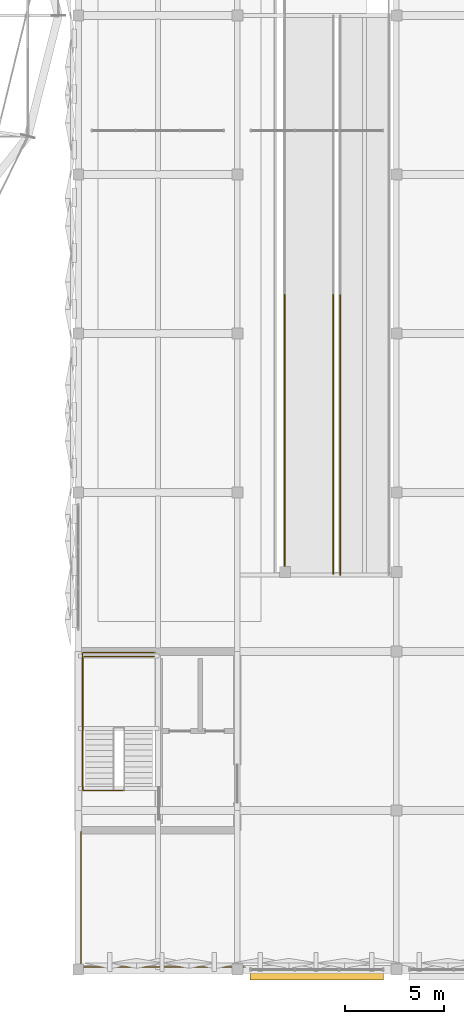
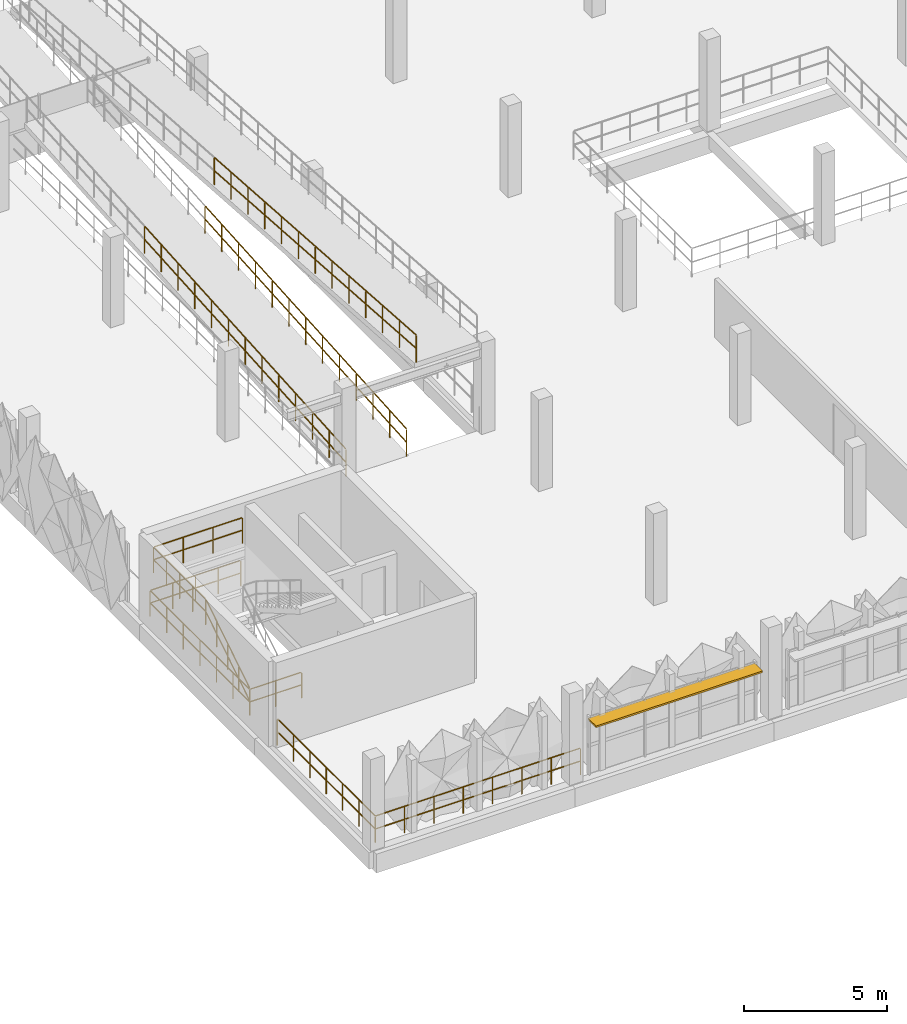
# One storey, part 88 of 96: 6 railings, 1 shading device.
"""IFC4 building model written with IfcOpenShell, lengths in metres."""

from ifc_helpers import new_model, si_unit, derived_unit, direction, frame, origin, origin_2d, place, context, subcontext, project, spatial, rectangle, circle, extrude, material, material_profile, profile_set, type_object, element, save


model = new_model("IFC4")

# Units and contexts
model_context = context("Model", 3, precision=1e-05, world=origin(), true_north=direction((0.0, 1.0)))
body_context = subcontext(model_context, "Body", "Model", "MODEL_VIEW")
ifc_project = project(units=[si_unit("LENGTHUNIT", "METRE"), si_unit("AREAUNIT", "SQUARE_METRE"), si_unit("VOLUMEUNIT", "CUBIC_METRE"), si_unit("PLANEANGLEUNIT", "RADIAN"), si_unit("MASSUNIT", "GRAM", prefix="KILO"), si_unit("THERMODYNAMICTEMPERATUREUNIT", "KELVIN"), derived_unit("THERMALTRANSMITTANCEUNIT", [(si_unit("POWERUNIT", "WATT"), 1), (si_unit("AREAUNIT", "SQUARE_METRE"), -1), (si_unit("THERMODYNAMICTEMPERATUREUNIT", "KELVIN"), -1)])], contexts=[model_context])

# Site, building, storey
site_placement = place(None, origin())
site = spatial("IfcSite", under=ifc_project, at=site_placement, CompositionType="ELEMENT")
building_placement = place(site_placement, origin())
building = spatial("IfcBuilding", under=site, at=building_placement, Name="Haiyu Intermodal Mobility Hub", CompositionType="ELEMENT")
storey_placement = place(building_placement, frame((0.0, 0.0, 9.5)))
storey = spatial("IfcBuildingStorey", under=building, at=storey_placement, Name="L02", CompositionType="ELEMENT", Elevation=9.5)

# Railings
ifc_material_1 = material(Name="Steel Q355C", Category="steel")
railing_type = type_object("IfcRailingType", Name="RAL-GR03", PredefinedType="GUARDRAIL", material=ifc_material_1)
railing_1_placement = place(storey_placement, frame((164.3798828125, 35.89990234375, 0.0)))
element("IfcRailing", 1, at=railing_1_placement, inside=storey, type_object=railing_type, Name="RAL-RMP-BIKE-L02-F1WA", PredefinedType="GUARDRAIL", context=body_context, shape_type="SweptSolid", body=[
    extrude(circle(Radius=0.02392578125, at=origin_2d()), frame((0.0, 0.030029296875, 1.157958984375), z_axis=(0.0, 0.997600365218, 0.069235188425), x_axis=(-1.0, 0.0, 0.0)), (0.0, 0.0, 1.0), 14.02392578125),
    extrude(circle(Radius=0.02392578125, at=origin_2d()), frame((0.0, 0.037109375, 0.592529296875), z_axis=(0.0, 0.997600365218, 0.069235188425), x_axis=(-1.0, 0.0, 0.0)), (0.0, 0.0, 1.0), 1.09912109375),
    extrude(circle(Radius=0.02392578125, at=origin_2d()), frame((0.0, 1.2080078125, 0.673828125), z_axis=(0.0, 0.997600365218, 0.069235188425), x_axis=(-1.0, 0.0, 0.0)), (0.0, 0.0, 1.0), 1.09912109375),
    extrude(circle(Radius=0.02392578125, at=origin_2d()), frame((0.0, 2.37890625, 0.755126953125), z_axis=(0.0, 0.997600365218, 0.069235188425), x_axis=(-1.0, 0.0, 0.0)), (0.0, 0.0, 1.0), 1.09912109375),
    extrude(circle(Radius=0.02392578125, at=origin_2d()), frame((0.0, 3.5498046875, 0.83642578125), z_axis=(0.0, 0.997600365218, 0.069235188425), x_axis=(-1.0, 0.0, 0.0)), (0.0, 0.0, 1.0), 1.09912109375),
    extrude(circle(Radius=0.02392578125, at=origin_2d()), frame((0.0, 4.720458984375, 0.91748046875), z_axis=(0.0, 0.997600365218, 0.069235188425), x_axis=(-1.0, 0.0, 0.0)), (0.0, 0.0, 1.0), 1.09912109375),
    extrude(circle(Radius=0.02392578125, at=origin_2d()), frame((0.0, 5.891357421875, 0.998779296875), z_axis=(0.0, 0.997600365218, 0.069235188425), x_axis=(-1.0, 0.0, 0.0)), (0.0, 0.0, 1.0), 1.09912109375),
    extrude(circle(Radius=0.02392578125, at=origin_2d()), frame((0.0, 7.062255859375, 1.080078125), z_axis=(0.0, 0.997600365218, 0.069235188425), x_axis=(-1.0, 0.0, 0.0)), (0.0, 0.0, 1.0), 1.09912109375),
    extrude(circle(Radius=0.02392578125, at=origin_2d()), frame((0.0, 8.233154296875, 1.161376953125), z_axis=(0.0, 0.997600365218, 0.069235188425), x_axis=(-1.0, 0.0, 0.0)), (0.0, 0.0, 1.0), 1.09912109375),
    extrude(circle(Radius=0.02392578125, at=origin_2d()), frame((0.0, 9.40380859375, 1.24267578125), z_axis=(0.0, 0.997600365218, 0.069235188425), x_axis=(-1.0, 0.0, 0.0)), (0.0, 0.0, 1.0), 1.09912109375),
    extrude(circle(Radius=0.02392578125, at=origin_2d()), frame((0.0, 10.57470703125, 1.323974609375), z_axis=(0.0, 0.997600365218, 0.069235188425), x_axis=(-1.0, 0.0, 0.0)), (0.0, 0.0, 1.0), 1.09912109375),
    extrude(circle(Radius=0.02392578125, at=origin_2d()), frame((0.0, 11.74560546875, 1.405029296875), z_axis=(0.0, 0.997600365218, 0.069235188425), x_axis=(-1.0, 0.0, 0.0)), (0.0, 0.0, 1.0), 1.09912109375),
    extrude(circle(Radius=0.02392578125, at=origin_2d()), frame((0.0, 12.91650390625, 1.486328125), z_axis=(0.0, 0.997600365218, 0.069235188425), x_axis=(-1.0, 0.0, 0.0)), (0.0, 0.0, 1.0), 1.09912109375),
    extrude(circle(Radius=0.02099609375, at=origin_2d()), origin(), (0.0, 0.0, 1.0), 1.123779296875),
    extrude(circle(Radius=0.02099609375, at=origin_2d()), frame((0.0, 1.1708984375, 0.081298828125)), (0.0, 0.0, 1.0), 1.123779296875),
    extrude(circle(Radius=0.02099609375, at=origin_2d()), frame((0.0, 2.341796875, 0.16259765625)), (0.0, 0.0, 1.0), 1.123779296875),
    extrude(circle(Radius=0.02099609375, at=origin_2d()), frame((0.0, 3.512451171875, 0.24365234375)), (0.0, 0.0, 1.0), 1.123779296875),
    extrude(circle(Radius=0.02099609375, at=origin_2d()), frame((0.0, 4.683349609375, 0.324951171875)), (0.0, 0.0, 1.0), 1.123779296875),
    extrude(circle(Radius=0.02099609375, at=origin_2d()), frame((0.0, 5.854248046875, 0.40625)), (0.0, 0.0, 1.0), 1.123779296875),
    extrude(circle(Radius=0.02099609375, at=origin_2d()), frame((0.0, 7.02490234375, 0.487548828125)), (0.0, 0.0, 1.0), 1.123779296875),
    extrude(circle(Radius=0.02099609375, at=origin_2d()), frame((0.0, 8.19580078125, 0.56884765625)), (0.0, 0.0, 1.0), 1.123779296875),
    extrude(circle(Radius=0.02099609375, at=origin_2d()), frame((0.0, 9.36669921875, 0.650146484375)), (0.0, 0.0, 1.0), 1.123779296875),
    extrude(circle(Radius=0.02099609375, at=origin_2d()), frame((0.0, 10.53759765625, 0.7314453125)), (0.0, 0.0, 1.0), 1.123779296875),
    extrude(circle(Radius=0.02099609375, at=origin_2d()), frame((0.0, 11.70849609375, 0.8125)), (0.0, 0.0, 1.0), 1.123779296875),
    extrude(circle(Radius=0.02099609375, at=origin_2d()), frame((0.0, 12.879150390625, 0.893798828125)), (0.0, 0.0, 1.0), 1.123779296875),
    extrude(circle(Radius=0.02099609375, at=origin_2d()), frame((0.0, 14.050048828125, 0.97509765625)), (0.0, 0.0, 1.0), 1.123779296875),
])
railing_2_placement = place(storey_placement, frame((166.820068359375, 35.89990234375, 0.0)))
element("IfcRailing", 2, at=railing_2_placement, inside=storey, type_object=railing_type, Name="RAL-RMP-BIKE-L02-F1EA", PredefinedType="GUARDRAIL", context=body_context, shape_type="SweptSolid", body=[
    extrude(circle(Radius=0.02392578125, at=origin_2d()), frame((0.0, 0.030029296875, 1.157958984375), z_axis=(0.0, 0.997600365218, 0.069235188425), x_axis=(-1.0, 0.0, 0.0)), (0.0, 0.0, 1.0), 14.02392578125),
    extrude(circle(Radius=0.02392578125, at=origin_2d()), frame((0.0, 0.037109375, 0.592529296875), z_axis=(0.0, 0.997600365218, 0.069235188425), x_axis=(-1.0, 0.0, 0.0)), (0.0, 0.0, 1.0), 1.09912109375),
    extrude(circle(Radius=0.02392578125, at=origin_2d()), frame((0.0, 1.2080078125, 0.673828125), z_axis=(0.0, 0.997600365218, 0.069235188425), x_axis=(-1.0, 0.0, 0.0)), (0.0, 0.0, 1.0), 1.09912109375),
    extrude(circle(Radius=0.02392578125, at=origin_2d()), frame((0.0, 2.37890625, 0.755126953125), z_axis=(0.0, 0.997600365218, 0.069235188425), x_axis=(-1.0, 0.0, 0.0)), (0.0, 0.0, 1.0), 1.09912109375),
    extrude(circle(Radius=0.02392578125, at=origin_2d()), frame((0.0, 3.5498046875, 0.83642578125), z_axis=(0.0, 0.997600365218, 0.069235188425), x_axis=(-1.0, 0.0, 0.0)), (0.0, 0.0, 1.0), 1.09912109375),
    extrude(circle(Radius=0.02392578125, at=origin_2d()), frame((0.0, 4.720458984375, 0.91748046875), z_axis=(0.0, 0.997600365218, 0.069235188425), x_axis=(-1.0, 0.0, 0.0)), (0.0, 0.0, 1.0), 1.09912109375),
    extrude(circle(Radius=0.02392578125, at=origin_2d()), frame((0.0, 5.891357421875, 0.998779296875), z_axis=(0.0, 0.997600365218, 0.069235188425), x_axis=(-1.0, 0.0, 0.0)), (0.0, 0.0, 1.0), 1.09912109375),
    extrude(circle(Radius=0.02392578125, at=origin_2d()), frame((0.0, 7.062255859375, 1.080078125), z_axis=(0.0, 0.997600365218, 0.069235188425), x_axis=(-1.0, 0.0, 0.0)), (0.0, 0.0, 1.0), 1.09912109375),
    extrude(circle(Radius=0.02392578125, at=origin_2d()), frame((0.0, 8.233154296875, 1.161376953125), z_axis=(0.0, 0.997600365218, 0.069235188425), x_axis=(-1.0, 0.0, 0.0)), (0.0, 0.0, 1.0), 1.09912109375),
    extrude(circle(Radius=0.02392578125, at=origin_2d()), frame((0.0, 9.40380859375, 1.24267578125), z_axis=(0.0, 0.997600365218, 0.069235188425), x_axis=(-1.0, 0.0, 0.0)), (0.0, 0.0, 1.0), 1.09912109375),
    extrude(circle(Radius=0.02392578125, at=origin_2d()), frame((0.0, 10.57470703125, 1.323974609375), z_axis=(0.0, 0.997600365218, 0.069235188425), x_axis=(-1.0, 0.0, 0.0)), (0.0, 0.0, 1.0), 1.09912109375),
    extrude(circle(Radius=0.02392578125, at=origin_2d()), frame((0.0, 11.74560546875, 1.405029296875), z_axis=(0.0, 0.997600365218, 0.069235188425), x_axis=(-1.0, 0.0, 0.0)), (0.0, 0.0, 1.0), 1.09912109375),
    extrude(circle(Radius=0.02392578125, at=origin_2d()), frame((0.0, 12.91650390625, 1.486328125), z_axis=(0.0, 0.997600365218, 0.069235188425), x_axis=(-1.0, 0.0, 0.0)), (0.0, 0.0, 1.0), 1.09912109375),
    extrude(circle(Radius=0.02099609375, at=origin_2d()), origin(), (0.0, 0.0, 1.0), 1.123779296875),
    extrude(circle(Radius=0.02099609375, at=origin_2d()), frame((0.0, 1.1708984375, 0.081298828125)), (0.0, 0.0, 1.0), 1.123779296875),
    extrude(circle(Radius=0.02099609375, at=origin_2d()), frame((0.0, 2.341796875, 0.16259765625)), (0.0, 0.0, 1.0), 1.123779296875),
    extrude(circle(Radius=0.02099609375, at=origin_2d()), frame((0.0, 3.512451171875, 0.24365234375)), (0.0, 0.0, 1.0), 1.123779296875),
    extrude(circle(Radius=0.02099609375, at=origin_2d()), frame((0.0, 4.683349609375, 0.324951171875)), (0.0, 0.0, 1.0), 1.123779296875),
    extrude(circle(Radius=0.02099609375, at=origin_2d()), frame((0.0, 5.854248046875, 0.40625)), (0.0, 0.0, 1.0), 1.123779296875),
    extrude(circle(Radius=0.02099609375, at=origin_2d()), frame((0.0, 7.02490234375, 0.487548828125)), (0.0, 0.0, 1.0), 1.123779296875),
    extrude(circle(Radius=0.02099609375, at=origin_2d()), frame((0.0, 8.19580078125, 0.56884765625)), (0.0, 0.0, 1.0), 1.123779296875),
    extrude(circle(Radius=0.02099609375, at=origin_2d()), frame((0.0, 9.36669921875, 0.650146484375)), (0.0, 0.0, 1.0), 1.123779296875),
    extrude(circle(Radius=0.02099609375, at=origin_2d()), frame((0.0, 10.53759765625, 0.7314453125)), (0.0, 0.0, 1.0), 1.123779296875),
    extrude(circle(Radius=0.02099609375, at=origin_2d()), frame((0.0, 11.70849609375, 0.8125)), (0.0, 0.0, 1.0), 1.123779296875),
    extrude(circle(Radius=0.02099609375, at=origin_2d()), frame((0.0, 12.879150390625, 0.893798828125)), (0.0, 0.0, 1.0), 1.123779296875),
    extrude(circle(Radius=0.02099609375, at=origin_2d()), frame((0.0, 14.050048828125, 0.97509765625)), (0.0, 0.0, 1.0), 1.123779296875),
])
railing_3_placement = place(storey_placement, frame((167.179931640625, 49.925048828125, 2.925048828125)))
element("IfcRailing", 3, at=railing_3_placement, inside=storey, type_object=railing_type, Name="RAL-RMP-BIKE-L02-F2WB", PredefinedType="GUARDRAIL", context=body_context, shape_type="SweptSolid", body=[
    extrude(circle(Radius=0.02392578125, at=origin_2d()), frame((0.0, -0.030029296875, 1.157958984375), z_axis=(0.0, -0.997610011439, 0.069096056888), x_axis=(1.0, 0.0, 0.0)), (0.0, 0.0, 1.0), 14.048583984375),
    extrude(circle(Radius=0.02392578125, at=origin_2d()), frame((0.0, -0.037109375, 0.592529296875), z_axis=(0.0, -0.997610011439, 0.069096056888), x_axis=(1.0, 0.0, 0.0)), (0.0, 0.0, 1.0), 1.10107421875),
    extrude(circle(Radius=0.02392578125, at=origin_2d()), frame((0.0, -1.210205078125, 0.673828125), z_axis=(0.0, -0.997610011439, 0.069096056888), x_axis=(1.0, 0.0, 0.0)), (0.0, 0.0, 1.0), 1.10107421875),
    extrude(circle(Radius=0.02392578125, at=origin_2d()), frame((0.0, -2.383056640625, 0.755126953125), z_axis=(0.0, -0.997610011439, 0.069096056888), x_axis=(1.0, 0.0, 0.0)), (0.0, 0.0, 1.0), 1.10107421875),
    extrude(circle(Radius=0.02392578125, at=origin_2d()), frame((0.0, -3.555908203125, 0.836181640625), z_axis=(0.0, -0.997610011439, 0.069096056888), x_axis=(1.0, 0.0, 0.0)), (0.0, 0.0, 1.0), 1.10107421875),
    extrude(circle(Radius=0.02392578125, at=origin_2d()), frame((0.0, -4.728759765625, 0.91748046875), z_axis=(0.0, -0.997610011439, 0.069096056888), x_axis=(1.0, 0.0, 0.0)), (0.0, 0.0, 1.0), 1.10107421875),
    extrude(circle(Radius=0.02392578125, at=origin_2d()), frame((0.0, -5.90185546875, 0.998779296875), z_axis=(0.0, -0.997610011439, 0.069096056888), x_axis=(1.0, 0.0, 0.0)), (0.0, 0.0, 1.0), 1.10107421875),
    extrude(circle(Radius=0.02392578125, at=origin_2d()), frame((0.0, -7.07470703125, 1.080078125), z_axis=(0.0, -0.997610011439, 0.069096056888), x_axis=(1.0, 0.0, 0.0)), (0.0, 0.0, 1.0), 1.10107421875),
    extrude(circle(Radius=0.02392578125, at=origin_2d()), frame((0.0, -8.24755859375, 1.1611328125), z_axis=(0.0, -0.997610011439, 0.069096056888), x_axis=(1.0, 0.0, 0.0)), (0.0, 0.0, 1.0), 1.10107421875),
    extrude(circle(Radius=0.02392578125, at=origin_2d()), frame((0.0, -9.42041015625, 1.242431640625), z_axis=(0.0, -0.997610011439, 0.069096056888), x_axis=(1.0, 0.0, 0.0)), (0.0, 0.0, 1.0), 1.10107421875),
    extrude(circle(Radius=0.02392578125, at=origin_2d()), frame((0.0, -10.593505859375, 1.32373046875), z_axis=(0.0, -0.997610011439, 0.069096056888), x_axis=(1.0, 0.0, 0.0)), (0.0, 0.0, 1.0), 1.10107421875),
    extrude(circle(Radius=0.02392578125, at=origin_2d()), frame((0.0, -11.766357421875, 1.405029296875), z_axis=(0.0, -0.997610011439, 0.069096056888), x_axis=(1.0, 0.0, 0.0)), (0.0, 0.0, 1.0), 1.10107421875),
    extrude(circle(Radius=0.02392578125, at=origin_2d()), frame((0.0, -12.939208984375, 1.486083984375), z_axis=(0.0, -0.997610011439, 0.069096056888), x_axis=(1.0, 0.0, 0.0)), (0.0, 0.0, 1.0), 1.10107421875),
    extrude(circle(Radius=0.02099609375, at=origin_2d()), origin(), (0.0, 0.0, 1.0), 1.123779296875),
    extrude(circle(Radius=0.02099609375, at=origin_2d()), frame((0.0, -1.1728515625, 0.081298828125)), (0.0, 0.0, 1.0), 1.123779296875),
    extrude(circle(Radius=0.02099609375, at=origin_2d()), frame((0.0, -2.345703125, 0.16259765625)), (0.0, 0.0, 1.0), 1.123779296875),
    extrude(circle(Radius=0.02099609375, at=origin_2d()), frame((0.0, -3.518798828125, 0.24365234375)), (0.0, 0.0, 1.0), 1.123779296875),
    extrude(circle(Radius=0.02099609375, at=origin_2d()), frame((0.0, -4.691650390625, 0.324951171875)), (0.0, 0.0, 1.0), 1.123779296875),
    extrude(circle(Radius=0.02099609375, at=origin_2d()), frame((0.0, -5.864501953125, 0.40625)), (0.0, 0.0, 1.0), 1.123779296875),
    extrude(circle(Radius=0.02099609375, at=origin_2d()), frame((0.0, -7.03759765625, 0.4873046875)), (0.0, 0.0, 1.0), 1.123779296875),
    extrude(circle(Radius=0.02099609375, at=origin_2d()), frame((0.0, -8.21044921875, 0.568603515625)), (0.0, 0.0, 1.0), 1.123779296875),
    extrude(circle(Radius=0.02099609375, at=origin_2d()), frame((0.0, -9.38330078125, 0.64990234375)), (0.0, 0.0, 1.0), 1.123779296875),
    extrude(circle(Radius=0.02099609375, at=origin_2d()), frame((0.0, -10.55615234375, 0.731201171875)), (0.0, 0.0, 1.0), 1.123779296875),
    extrude(circle(Radius=0.02099609375, at=origin_2d()), frame((0.0, -11.72900390625, 0.8125)), (0.0, 0.0, 1.0), 1.123779296875),
    extrude(circle(Radius=0.02099609375, at=origin_2d()), frame((0.0, -12.902099609375, 0.8935546875)), (0.0, 0.0, 1.0), 1.123779296875),
    extrude(circle(Radius=0.02099609375, at=origin_2d()), frame((0.0, -14.074951171875, 0.974853515625)), (0.0, 0.0, 1.0), 1.123779296875),
])
railing_4_placement = place(storey_placement, frame((154.139892578125, 22.949951171875, 0.0)))
element("IfcRailing", 4, at=railing_4_placement, inside=storey, type_object=railing_type, Name="RAL-V5SW-L02", PredefinedType="GUARDRAIL", context=body_context, shape_type="SweptSolid", body=[
    extrude(circle(Radius=0.02392578125, at=origin_2d()), frame((0.0, -0.030029296875, 1.1259765625), z_axis=(0.0, -1.0, 0.0), x_axis=(1.0, 0.0, 0.0)), (0.0, 0.0, 1.0), 6.769775390625),
    extrude(circle(Radius=0.02392578125, at=origin_2d()), frame((0.0, -0.037353515625, 0.574951171875), z_axis=(0.0, -1.0, 0.0), x_axis=(1.0, 0.0, 0.0)), (0.0, 0.0, 1.0), 1.063720703125),
    extrude(circle(Radius=0.02392578125, at=origin_2d()), frame((0.0, -1.175537109375, 0.574951171875), z_axis=(0.0, -1.0, 0.0), x_axis=(1.0, 0.0, 0.0)), (0.0, 0.0, 1.0), 1.063720703125),
    extrude(circle(Radius=0.02392578125, at=origin_2d()), frame((0.0, -2.31396484375, 0.574951171875), z_axis=(0.0, -1.0, 0.0), x_axis=(1.0, 0.0, 0.0)), (0.0, 0.0, 1.0), 1.063720703125),
    extrude(circle(Radius=0.02392578125, at=origin_2d()), frame((0.0, -3.4521484375, 0.574951171875), z_axis=(0.0, -1.0, 0.0), x_axis=(1.0, 0.0, 0.0)), (0.0, 0.0, 1.0), 1.063720703125),
    extrude(circle(Radius=0.02392578125, at=origin_2d()), frame((0.0, -4.590576171875, 0.574951171875), z_axis=(0.0, -1.0, 0.0), x_axis=(1.0, 0.0, 0.0)), (0.0, 0.0, 1.0), 1.063720703125),
    extrude(circle(Radius=0.02392578125, at=origin_2d()), frame((0.0, -5.728759765625, 0.574951171875), z_axis=(0.0, -1.0, 0.0), x_axis=(1.0, 0.0, 0.0)), (0.0, 0.0, 1.0), 1.063720703125),
    extrude(circle(Radius=0.02392578125, at=origin_2d()), frame((0.030029296875, -6.829833984375, 1.1259765625), z_axis=(1.0, 0.0, 0.0), x_axis=(0.0, 1.0, 0.0)), (0.0, 0.0, 1.0), 8.199951171875),
    extrude(circle(Radius=0.02392578125, at=origin_2d()), frame((0.037353515625, -6.829833984375, 0.574951171875), z_axis=(1.0, 0.0, 0.0), x_axis=(0.0, 1.0, 0.0)), (0.0, 0.0, 1.0), 1.10546875),
    extrude(circle(Radius=0.02392578125, at=origin_2d()), frame((1.21728515625, -6.829833984375, 0.574951171875), z_axis=(1.0, 0.0, 0.0), x_axis=(0.0, 1.0, 0.0)), (0.0, 0.0, 1.0), 1.10546875),
    extrude(circle(Radius=0.02392578125, at=origin_2d()), frame((2.397216796875, -6.829833984375, 0.574951171875), z_axis=(1.0, 0.0, 0.0), x_axis=(0.0, 1.0, 0.0)), (0.0, 0.0, 1.0), 1.10546875),
    extrude(circle(Radius=0.02392578125, at=origin_2d()), frame((3.577392578125, -6.829833984375, 0.574951171875), z_axis=(1.0, 0.0, 0.0), x_axis=(0.0, 1.0, 0.0)), (0.0, 0.0, 1.0), 1.10546875),
    extrude(circle(Radius=0.02392578125, at=origin_2d()), frame((4.75732421875, -6.829833984375, 0.574951171875), z_axis=(1.0, 0.0, 0.0), x_axis=(0.0, 1.0, 0.0)), (0.0, 0.0, 1.0), 1.10546875),
    extrude(circle(Radius=0.02392578125, at=origin_2d()), frame((5.937255859375, -6.829833984375, 0.574951171875), z_axis=(1.0, 0.0, 0.0), x_axis=(0.0, 1.0, 0.0)), (0.0, 0.0, 1.0), 1.10546875),
    extrude(circle(Radius=0.02392578125, at=origin_2d()), frame((7.1171875, -6.829833984375, 0.574951171875), z_axis=(1.0, 0.0, 0.0), x_axis=(0.0, 1.0, 0.0)), (0.0, 0.0, 1.0), 1.10546875),
    extrude(circle(Radius=0.02099609375, at=origin_2d()), origin(), (0.0, 0.0, 1.0), 1.09375),
    extrude(circle(Radius=0.02099609375, at=origin_2d()), frame((0.0, -1.13818359375, 0.0)), (0.0, 0.0, 1.0), 1.09375),
    extrude(circle(Radius=0.02099609375, at=origin_2d()), frame((0.0, -2.276611328125, 0.0)), (0.0, 0.0, 1.0), 1.09375),
    extrude(circle(Radius=0.02099609375, at=origin_2d()), frame((0.0, -3.4150390625, 0.0)), (0.0, 0.0, 1.0), 1.09375),
    extrude(circle(Radius=0.02099609375, at=origin_2d()), frame((0.0, -4.55322265625, 0.0)), (0.0, 0.0, 1.0), 1.09375),
    extrude(circle(Radius=0.02099609375, at=origin_2d()), frame((0.0, -5.69140625, 0.0)), (0.0, 0.0, 1.0), 1.09375),
    extrude(circle(Radius=0.02099609375, at=origin_2d()), frame((0.0, -6.829833984375, 0.0)), (0.0, 0.0, 1.0), 1.09375),
    extrude(circle(Radius=0.02099609375, at=origin_2d()), frame((1.179931640625, -6.829833984375, 0.0)), (0.0, 0.0, 1.0), 1.09375),
    extrude(circle(Radius=0.02099609375, at=origin_2d()), frame((2.360107421875, -6.829833984375, 0.0)), (0.0, 0.0, 1.0), 1.09375),
    extrude(circle(Radius=0.02099609375, at=origin_2d()), frame((3.5400390625, -6.829833984375, 0.0)), (0.0, 0.0, 1.0), 1.09375),
    extrude(circle(Radius=0.02099609375, at=origin_2d()), frame((4.719970703125, -6.829833984375, 0.0)), (0.0, 0.0, 1.0), 1.09375),
    extrude(circle(Radius=0.02099609375, at=origin_2d()), frame((5.89990234375, -6.829833984375, 0.0)), (0.0, 0.0, 1.0), 1.09375),
    extrude(circle(Radius=0.02099609375, at=origin_2d()), frame((7.080078125, -6.829833984375, 0.0)), (0.0, 0.0, 1.0), 1.09375),
    extrude(circle(Radius=0.02099609375, at=origin_2d()), frame((8.260009765625, -6.829833984375, 0.0)), (0.0, 0.0, 1.0), 1.09375),
])
railing_5_placement = place(storey_placement, frame((156.31005859375, 25.010009765625, 0.0)))
element("IfcRailing", 5, at=railing_5_placement, inside=storey, type_object=railing_type, Name="Stair Shaft Floor Guard STR-C8-L01", PredefinedType="GUARDRAIL", context=body_context, shape_type="SweptSolid", body=[
    extrude(circle(Radius=0.02392578125, at=origin_2d()), frame((-0.030029296875, 0.0, 1.09619140625), z_axis=(-1.0, 0.0, 0.0), x_axis=(0.0, -1.0, 0.0)), (0.0, 0.0, 1.0), 2.030029296875),
    extrude(circle(Radius=0.02392578125, at=origin_2d()), frame((-0.037353515625, 0.0, 0.56005859375), z_axis=(-1.0, 0.0, 0.0), x_axis=(0.0, -1.0, 0.0)), (0.0, 0.0, 1.0), 0.970458984375),
    extrude(circle(Radius=0.02392578125, at=origin_2d()), frame((-1.082275390625, 0.0, 0.56005859375), z_axis=(-1.0, 0.0, 0.0), x_axis=(0.0, -1.0, 0.0)), (0.0, 0.0, 1.0), 0.970458984375),
    extrude(circle(Radius=0.02392578125, at=origin_2d()), frame((-2.090087890625, 0.030029296875, 1.09619140625), z_axis=(0.0, 1.0, 0.0), x_axis=(-1.0, 0.0, 0.0)), (0.0, 0.0, 1.0), 6.8798828125),
    extrude(circle(Radius=0.02392578125, at=origin_2d()), frame((-2.090087890625, 0.037353515625, 0.56005859375), z_axis=(0.0, 1.0, 0.0), x_axis=(-1.0, 0.0, 0.0)), (0.0, 0.0, 1.0), 1.08203125),
    extrude(circle(Radius=0.02392578125, at=origin_2d()), frame((-2.090087890625, 1.19384765625, 0.56005859375), z_axis=(0.0, 1.0, 0.0), x_axis=(-1.0, 0.0, 0.0)), (0.0, 0.0, 1.0), 1.08203125),
    extrude(circle(Radius=0.02392578125, at=origin_2d()), frame((-2.090087890625, 2.3505859375, 0.56005859375), z_axis=(0.0, 1.0, 0.0), x_axis=(-1.0, 0.0, 0.0)), (0.0, 0.0, 1.0), 1.08203125),
    extrude(circle(Radius=0.02392578125, at=origin_2d()), frame((-2.090087890625, 3.50732421875, 0.56005859375), z_axis=(0.0, 1.0, 0.0), x_axis=(-1.0, 0.0, 0.0)), (0.0, 0.0, 1.0), 1.08203125),
    extrude(circle(Radius=0.02392578125, at=origin_2d()), frame((-2.090087890625, 4.663818359375, 0.56005859375), z_axis=(0.0, 1.0, 0.0), x_axis=(-1.0, 0.0, 0.0)), (0.0, 0.0, 1.0), 1.08203125),
    extrude(circle(Radius=0.02392578125, at=origin_2d()), frame((-2.090087890625, 5.820556640625, 0.56005859375), z_axis=(0.0, 1.0, 0.0), x_axis=(-1.0, 0.0, 0.0)), (0.0, 0.0, 1.0), 1.08203125),
    extrude(circle(Radius=0.02392578125, at=origin_2d()), frame((-2.06005859375, 6.93994140625, 1.09619140625), z_axis=(1.0, 0.0, 0.0), x_axis=(0.0, 1.0, 0.0)), (0.0, 0.0, 1.0), 3.590087890625),
    extrude(circle(Radius=0.02392578125, at=origin_2d()), frame((-2.052734375, 6.93994140625, 0.56005859375), z_axis=(1.0, 0.0, 0.0), x_axis=(0.0, 1.0, 0.0)), (0.0, 0.0, 1.0), 0.837890625),
    extrude(circle(Radius=0.02392578125, at=origin_2d()), frame((-1.14013671875, 6.93994140625, 0.56005859375), z_axis=(1.0, 0.0, 0.0), x_axis=(0.0, 1.0, 0.0)), (0.0, 0.0, 1.0), 0.837890625),
    extrude(circle(Radius=0.02392578125, at=origin_2d()), frame((-0.227783203125, 6.93994140625, 0.56005859375), z_axis=(1.0, 0.0, 0.0), x_axis=(0.0, 1.0, 0.0)), (0.0, 0.0, 1.0), 0.837890625),
    extrude(circle(Radius=0.02392578125, at=origin_2d()), frame((0.684814453125, 6.93994140625, 0.56005859375), z_axis=(1.0, 0.0, 0.0), x_axis=(0.0, 1.0, 0.0)), (0.0, 0.0, 1.0), 0.837890625),
    extrude(circle(Radius=0.02099609375, at=origin_2d()), origin(), (0.0, 0.0, 1.0), 1.06396484375),
    extrude(circle(Radius=0.02099609375, at=origin_2d()), frame((-1.044921875, 0.0, 0.0)), (0.0, 0.0, 1.0), 1.06396484375),
    extrude(circle(Radius=0.02099609375, at=origin_2d()), frame((-2.090087890625, 0.0, 0.0)), (0.0, 0.0, 1.0), 1.06396484375),
    extrude(circle(Radius=0.02099609375, at=origin_2d()), frame((-2.090087890625, 1.15673828125, 0.0)), (0.0, 0.0, 1.0), 1.06396484375),
    extrude(circle(Radius=0.02099609375, at=origin_2d()), frame((-2.090087890625, 2.313232421875, 0.0)), (0.0, 0.0, 1.0), 1.06396484375),
    extrude(circle(Radius=0.02099609375, at=origin_2d()), frame((-2.090087890625, 3.469970703125, 0.0)), (0.0, 0.0, 1.0), 1.06396484375),
    extrude(circle(Radius=0.02099609375, at=origin_2d()), frame((-2.090087890625, 4.626708984375, 0.0)), (0.0, 0.0, 1.0), 1.06396484375),
    extrude(circle(Radius=0.02099609375, at=origin_2d()), frame((-2.090087890625, 5.783203125, 0.0)), (0.0, 0.0, 1.0), 1.06396484375),
    extrude(circle(Radius=0.02099609375, at=origin_2d()), frame((-2.090087890625, 6.93994140625, 0.0)), (0.0, 0.0, 1.0), 1.06396484375),
    extrude(circle(Radius=0.02099609375, at=origin_2d()), frame((-1.177490234375, 6.93994140625, 0.0)), (0.0, 0.0, 1.0), 1.06396484375),
    extrude(circle(Radius=0.02099609375, at=origin_2d()), frame((-0.26513671875, 6.93994140625, 0.0)), (0.0, 0.0, 1.0), 1.06396484375),
    extrude(circle(Radius=0.02099609375, at=origin_2d()), frame((0.6474609375, 6.93994140625, 0.0)), (0.0, 0.0, 1.0), 1.06396484375),
    extrude(circle(Radius=0.02099609375, at=origin_2d()), frame((1.56005859375, 6.93994140625, 0.0)), (0.0, 0.0, 1.0), 1.06396484375),
])
railing_6_placement = place(storey_placement, frame((154.25, 25.050048828125, 0.0)))
element("IfcRailing", 6, at=railing_6_placement, inside=storey, type_object=railing_type, Name="Stair Outer Guard STR-C8-L02", PredefinedType="GUARDRAIL", context=body_context, shape_type="SweptSolid", body=[
    extrude(circle(Radius=0.02392578125, at=origin_2d()), frame((0.0, 0.025390625, 1.112060546875), z_axis=(0.0, 0.844894753029, 0.534932571736), x_axis=(-1.0, 0.0, 0.0)), (0.0, 0.0, 1.0), 3.585205078125),
    extrude(circle(Radius=0.02392578125, at=origin_2d()), frame((0.0, 0.031494140625, 0.580078125), z_axis=(0.0, 0.844894753029, 0.534932571736), x_axis=(-1.0, 0.0, 0.0)), (0.0, 0.0, 1.0), 0.836669921875),
    extrude(circle(Radius=0.02392578125, at=origin_2d()), frame((0.0, 0.801513671875, 1.0673828125), z_axis=(0.0, 0.844894753029, 0.534932571736), x_axis=(-1.0, 0.0, 0.0)), (0.0, 0.0, 1.0), 0.836669921875),
    extrude(circle(Radius=0.02392578125, at=origin_2d()), frame((0.0, 1.571533203125, 1.554931640625), z_axis=(0.0, 0.844894753029, 0.534932571736), x_axis=(-1.0, 0.0, 0.0)), (0.0, 0.0, 1.0), 0.836669921875),
    extrude(circle(Radius=0.02392578125, at=origin_2d()), frame((0.0, 2.34130859375, 2.04248046875), z_axis=(0.0, 0.844894753029, 0.534932571736), x_axis=(-1.0, 0.0, 0.0)), (0.0, 0.0, 1.0), 0.836669921875),
    extrude(circle(Radius=0.02392578125, at=origin_2d()), frame((0.0, 3.10986328125, 3.0458984375), z_axis=(0.0, 1.0, 0.0), x_axis=(-1.0, 0.0, 0.0)), (0.0, 0.0, 1.0), 3.570068359375),
    extrude(circle(Radius=0.02392578125, at=origin_2d()), frame((0.0, 3.1171875, 2.510009765625), z_axis=(0.0, 1.0, 0.0), x_axis=(-1.0, 0.0, 0.0)), (0.0, 0.0, 1.0), 0.8330078125),
    extrude(circle(Radius=0.02392578125, at=origin_2d()), frame((0.0, 4.024658203125, 2.510009765625), z_axis=(0.0, 1.0, 0.0), x_axis=(-1.0, 0.0, 0.0)), (0.0, 0.0, 1.0), 0.8330078125),
    extrude(circle(Radius=0.02392578125, at=origin_2d()), frame((0.0, 4.93212890625, 2.510009765625), z_axis=(0.0, 1.0, 0.0), x_axis=(-1.0, 0.0, 0.0)), (0.0, 0.0, 1.0), 0.8330078125),
    extrude(circle(Radius=0.02392578125, at=origin_2d()), frame((0.0, 5.83984375, 2.510009765625), z_axis=(0.0, 1.0, 0.0), x_axis=(-1.0, 0.0, 0.0)), (0.0, 0.0, 1.0), 0.8330078125),
    extrude(circle(Radius=0.02392578125, at=origin_2d()), frame((0.030029296875, 6.7099609375, 3.0458984375), z_axis=(1.0, 0.0, 0.0), x_axis=(0.0, 1.0, 0.0)), (0.0, 0.0, 1.0), 3.52001953125),
    extrude(circle(Radius=0.02392578125, at=origin_2d()), frame((0.037353515625, 6.7099609375, 2.510009765625), z_axis=(1.0, 0.0, 0.0), x_axis=(0.0, 1.0, 0.0)), (0.0, 0.0, 1.0), 1.11865234375),
    extrude(circle(Radius=0.02392578125, at=origin_2d()), frame((1.230712890625, 6.7099609375, 2.510009765625), z_axis=(1.0, 0.0, 0.0), x_axis=(0.0, 1.0, 0.0)), (0.0, 0.0, 1.0), 1.11865234375),
    extrude(circle(Radius=0.02392578125, at=origin_2d()), frame((2.424072265625, 6.7099609375, 2.510009765625), z_axis=(1.0, 0.0, 0.0), x_axis=(0.0, 1.0, 0.0)), (0.0, 0.0, 1.0), 1.11865234375),
    extrude(circle(Radius=0.02099609375, at=origin_2d()), origin(), (0.0, 0.0, 1.0), 1.06396484375),
    extrude(circle(Radius=0.02099609375, at=origin_2d()), frame((0.0, 0.77001953125, 0.487548828125)), (0.0, 0.0, 1.0), 1.06396484375),
    extrude(circle(Radius=0.02099609375, at=origin_2d()), frame((0.0, 1.5400390625, 0.97509765625)), (0.0, 0.0, 1.0), 1.06396484375),
    extrude(circle(Radius=0.02099609375, at=origin_2d()), frame((0.0, 2.309814453125, 1.46240234375)), (0.0, 0.0, 1.0), 1.06396484375),
    extrude(circle(Radius=0.02099609375, at=origin_2d()), frame((0.0, 3.079833984375, 1.949951171875)), (0.0, 0.0, 1.0), 1.06396484375),
    extrude(circle(Radius=0.02099609375, at=origin_2d()), frame((0.0, 3.9873046875, 1.949951171875)), (0.0, 0.0, 1.0), 1.06396484375),
    extrude(circle(Radius=0.02099609375, at=origin_2d()), frame((0.0, 4.89501953125, 1.949951171875)), (0.0, 0.0, 1.0), 1.06396484375),
    extrude(circle(Radius=0.02099609375, at=origin_2d()), frame((0.0, 5.802490234375, 1.949951171875)), (0.0, 0.0, 1.0), 1.06396484375),
    extrude(circle(Radius=0.02099609375, at=origin_2d()), frame((0.0, 6.7099609375, 1.949951171875)), (0.0, 0.0, 1.0), 1.06396484375),
    extrude(circle(Radius=0.02099609375, at=origin_2d()), frame((1.193359375, 6.7099609375, 1.949951171875)), (0.0, 0.0, 1.0), 1.06396484375),
    extrude(circle(Radius=0.02099609375, at=origin_2d()), frame((2.38671875, 6.7099609375, 1.949951171875)), (0.0, 0.0, 1.0), 1.06396484375),
    extrude(circle(Radius=0.02099609375, at=origin_2d()), frame((3.580078125, 6.7099609375, 1.949951171875)), (0.0, 0.0, 1.0), 1.06396484375),
])

# Shading device
ifc_material_2 = material(Name="Anodised aluminium 6063-T6", Category="aluminium")
ifc_material_profile = material_profile(ifc_material_2, rectangle(XDim=0.080078125, YDim=0.449951171875, at=origin_2d()), Name="FIN80x450")
ifc_profile_set = profile_set([ifc_material_profile], Name="Anodised aluminium 6063-T6")
shading_device_type = type_object("IfcShadingDeviceType", Name="SHD-SD01", PredefinedType="JALOUSIE", material=ifc_profile_set)
shading_device_placement = place(storey_placement, frame((166.0, 15.75, 2.29248046875), z_axis=(0.0, 0.0, 1.0), x_axis=(1.0, 0.0, 0.0)))
element("IfcShadingDevice", 7, at=shading_device_placement, inside=storey, type_object=shading_device_type, Name="SHD-V5S-033", PredefinedType="JALOUSIE", context=body_context, shape_type="SweptSolid", body=[
    extrude(rectangle(XDim=6.699951171875, YDim=0.550048828125, at=origin_2d()), origin(), (0.0, 0.0, 1.0), 0.074951171875),
])

save(model, "model.ifc")
